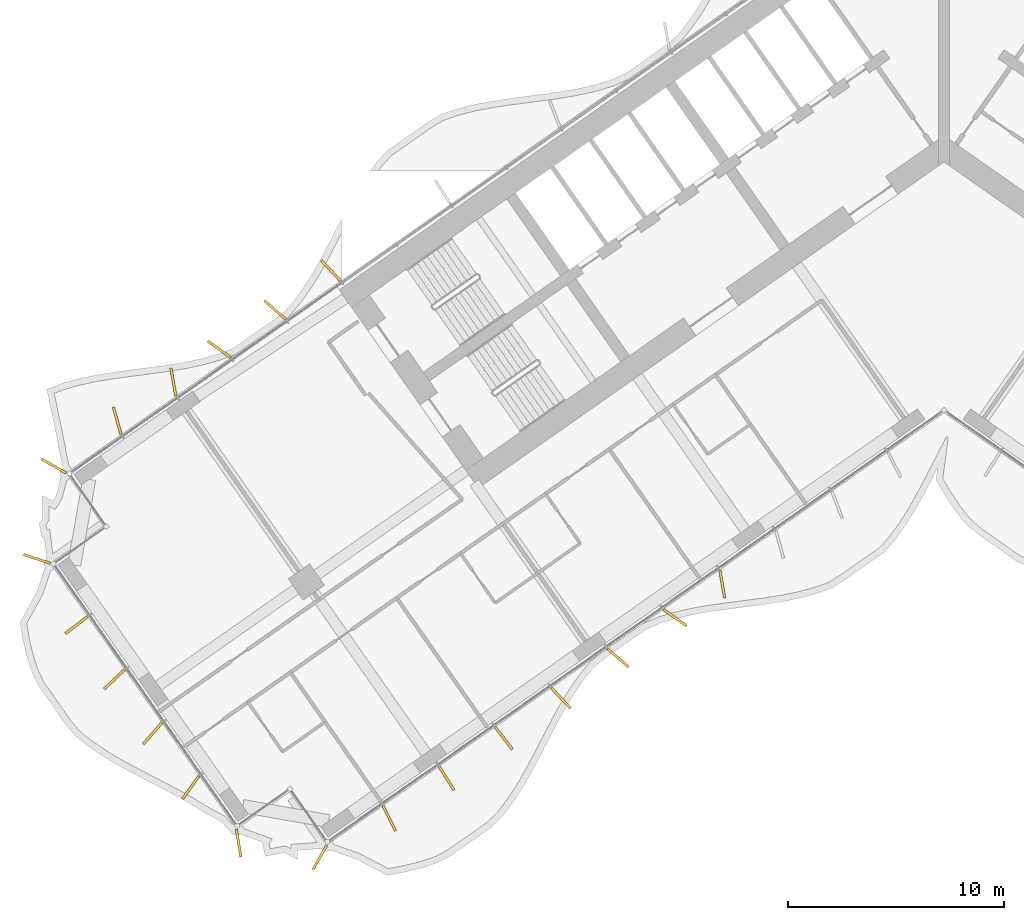
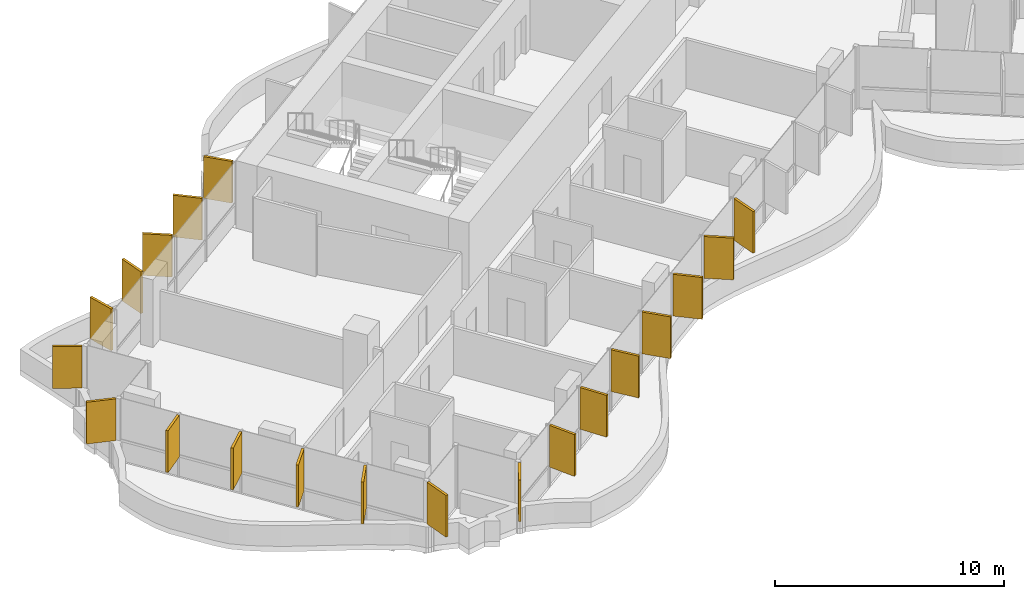
# One storey, part 18 of 23: 20 shading devices.
"""IFC4 building model written with IfcOpenShell, lengths in metres."""

from ifc_helpers import new_model, si_unit, direction, frame, origin, origin_2d, place, context, subcontext, project, spatial, rectangle, extrude, material, layer, layer_set, type_object, element, save


model = new_model("IFC4")

# Units and contexts
model_context = context("Model", 3, precision=1e-05, world=origin(), true_north=direction((0.0, 1.0)))
body_context = subcontext(model_context, "Body", "Model", "MODEL_VIEW")
ifc_project = project(units=[si_unit("LENGTHUNIT", "METRE"), si_unit("AREAUNIT", "SQUARE_METRE"), si_unit("VOLUMEUNIT", "CUBIC_METRE"), si_unit("PLANEANGLEUNIT", "RADIAN"), si_unit("MASSUNIT", "GRAM", prefix="KILO")], contexts=[model_context])

# Site, building, storey
site_placement = place(None, origin())
site = spatial("IfcSite", under=ifc_project, at=site_placement, CompositionType="ELEMENT")
building_placement = place(site_placement, origin())
building = spatial("IfcBuilding", under=site, at=building_placement, Name="Tel Ilan Convention Tower", CompositionType="ELEMENT")
storey_placement = place(building_placement, frame((0.0, 0.0, 119.300048828125)))
storey = spatial("IfcBuildingStorey", under=building, at=storey_placement, Name="L26", CompositionType="ELEMENT", Elevation=119.300048828125)

# Shading devices
ifc_material = material(Name="Aluminium, bronze anodised", Category="aluminium")
ifc_layer = layer(ifc_material, 0.1201171875)
ifc_layer_set = layer_set([ifc_layer], Name="FIN BRONZE 1300x120")
shading_device_type = type_object("IfcShadingDeviceType", Name="FIN BRONZE 1300x120", PredefinedType="USERDEFINED", material=ifc_layer_set)
for number, where, z_axis, x_axis, name in (
    (1, (-28.35693359375, -6.242431640625, 1.10009765625), (0.0, 0.0, 1.0), (-0.686241637865, 0.727373641577, 0.0), "FIN"),
    (2, (-30.940673828125, -8.0595703125, 1.10009765625), (0.0, 0.0, 1.0), (-0.753435896329, 0.657521368568, 0.0), "FIN"),
    (3, (-33.52001953125, -9.880859375, 1.10009765625), (0.0, 0.0, 1.0), (-0.813552070258, 0.581492071294, 0.0), "FIN"),
    (4, (-35.64404296875, -11.390625, 1.10009765625), (0.0, 0.0, 1.0), (-0.173648177667, 0.984807753012, 0.0), "FIN"),
    (5, (-38.2392578125, -13.185302734375, 1.10009765625), (0.0, 0.0, 1.0), (-0.268172612768, 0.963370878614, 0.0), "FIN"),
    (6, (-41.176025390625, -15.281005859375, 1.10009765625), (0.0, 0.0, 1.0), (-0.870832754082, 0.491579408049, 0.0), "FIN"),
    (7, (-41.95263671875, -19.576171875, 1.10009765625), (0.0, 0.0, 1.0), (-0.949242643575, 0.314544756146, 0.0), "FIN"),
    (8, (-40.12255859375, -22.63916015625, 1.10009765625), (0.0, 0.0, 1.0), (-0.790392669516, -0.612600545196, 0.0), "FIN"),
    (9, (-38.365478515625, -25.147705078125, 1.10009765625), (0.0, 0.0, 1.0), (-0.727373641577, -0.686241637865, 0.0), "FIN"),
    (10, (-36.60400390625, -27.652099609375, 1.10009765625), (0.0, 0.0, 1.0), (-0.657521368568, -0.753435896329, 0.0), "FIN"),
    (11, (-34.83837890625, -30.15185546875, 1.10009765625), (0.0, 0.0, 1.0), (-0.581492071294, -0.813552070258, 0.0), "FIN"),
    (12, (-32.62060546875, -32.729736328125, 1.10009765625), (0.0, 0.0, 1.0), (0.16409119891, -0.986445172547, 0.0), "FIN"),
    (13, (-28.86865234375, -33.391357421875, 1.10009765625), (0.0, 0.0, 1.0), (-0.491579408049, -0.870832754082, 0.0), "FIN"),
    (14, (-25.654296875, -31.576416015625, 1.10009765625), (0.0, 0.0, 1.0), (0.448799180206, -0.893632640321, 0.0), "FIN"),
    (15, (-23.007568359375, -29.7236328125, 1.10009765625), (0.0, 0.0, 1.0), (0.533204432798, -0.845986425922, 0.0), "FIN"),
    (16, (-20.36083984375, -27.87060546875, 1.10009765625), (0.0, 0.0, 1.0), (0.612600545196, -0.790392669516, 0.0), "FIN"),
    (17, (-17.714599609375, -26.01708984375, 1.10009765625), (0.0, 0.0, 1.0), (0.686241637865, -0.727373641577, 0.0), "FIN"),
    (18, (-15.07275390625, -24.159423828125, 1.10009765625), (0.0, 0.0, 1.0), (0.753435896329, -0.657521368568, 0.0), "FIN"),
    (19, (-12.435302734375, -22.29736328125, 1.10009765625), (0.0, 0.0, 1.0), (0.813552070258, -0.581492071294, 0.0), "FIN"),
    (20, (-10.253173828125, -20.746826171875, 1.10009765625), (0.0, 0.0, 1.0), (0.173648177667, -0.984807753012, 0.0), "FIN"),
):
    element("IfcShadingDevice", number, at=place(storey_placement, frame(where, z_axis=z_axis, x_axis=x_axis)), inside=storey, type_object=shading_device_type, Name=name, ObjectType="FIN", PredefinedType="USERDEFINED", context=body_context, shape_type="SweptSolid", body=[
        extrude(rectangle(XDim=1.300048828125, YDim=0.1201171875, at=origin_2d()), origin(), (0.0, 0.0, 1.0), 2.219970703125),
    ])

save(model, "model.ifc")
